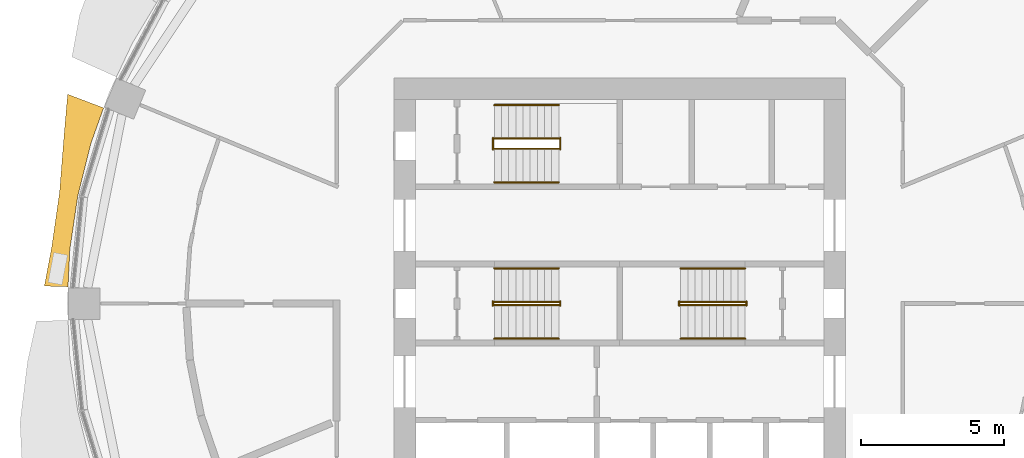
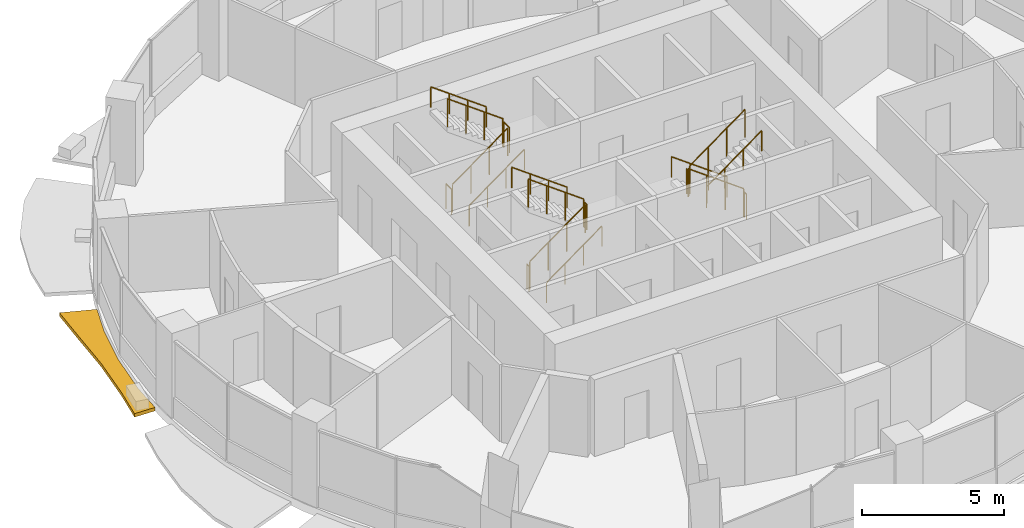
# One storey, part 12 of 14: 18 railings, 1 shading device.
"""IFC4 building model written with IfcOpenShell, lengths in metres."""

from ifc_helpers import new_model, si_unit, direction, frame, origin, origin_2d, place, context, subcontext, project, spatial, polyline, circle, outline, extrude, material, type_object, element, save


model = new_model("IFC4")

# Units and contexts
model_context = context("Model", 3, precision=1e-05, world=origin(), true_north=direction((0.0, 1.0)))
body_context = subcontext(model_context, "Body", "Model", "MODEL_VIEW")
ifc_project = project(units=[si_unit("LENGTHUNIT", "METRE"), si_unit("AREAUNIT", "SQUARE_METRE"), si_unit("VOLUMEUNIT", "CUBIC_METRE"), si_unit("PLANEANGLEUNIT", "RADIAN"), si_unit("MASSUNIT", "GRAM", prefix="KILO")], contexts=[model_context])

# Site, building, storey
site_placement = place(None, origin())
site = spatial("IfcSite", under=ifc_project, at=site_placement, CompositionType="ELEMENT")
building_placement = place(site_placement, origin())
building = spatial("IfcBuilding", under=site, at=building_placement, Name="Polderwave Tower", CompositionType="ELEMENT")
storey_placement = place(building_placement, frame((0.0, 0.0, 94.64990234375)))
storey = spatial("IfcBuildingStorey", under=building, at=storey_placement, Name="L24", CompositionType="ELEMENT", Elevation=94.64990234375)

# Railings
ifc_material_1 = material(Name="Stainless steel", Category="steel")
railing_type_1 = type_object("IfcRailingType", Name="Stair guard 1100", PredefinedType="GUARDRAIL", material=ifc_material_1)
railing_1_placement = place(storey_placement, frame((-4.3740234375, -0.051025390625, 0.0625)))
element("IfcRailing", 1, at=railing_1_placement, inside=storey, type_object=railing_type_1, Name="L24 ST-A stair guard 1", PredefinedType="GUARDRAIL", context=body_context, shape_type="SweptSolid", body=[
    extrude(circle(Radius=0.02392578125, at=origin_2d()), frame((0.0, 0.0, 1.1962890625), z_axis=(0.807673635365, 0.0, 0.58962979804), x_axis=(0.0, 1.0, 0.0)), (0.0, 0.0, 1.0), 2.785888671875),
    extrude(circle(Radius=0.02392578125, at=origin_2d()), origin(), (0.0, 0.0, 1.0), 1.172119140625),
    extrude(circle(Radius=0.02392578125, at=origin_2d()), frame((0.75, 0.0, 0.547607421875)), (0.0, 0.0, 1.0), 1.172119140625),
    extrude(circle(Radius=0.02392578125, at=origin_2d()), frame((1.5, 0.0, 1.094970703125)), (0.0, 0.0, 1.0), 1.172119140625),
    extrude(circle(Radius=0.02392578125, at=origin_2d()), frame((2.25, 0.0, 1.642578125)), (0.0, 0.0, 1.0), 1.172119140625),
])
railing_2_placement = place(storey_placement, frame((-2.073974609375, -0.074951171875, 1.8251953125)))
element("IfcRailing", 2, at=railing_2_placement, inside=storey, type_object=railing_type_1, Name="L24 ST-A stair guard 2", PredefinedType="GUARDRAIL", context=body_context, shape_type="SweptSolid", body=[
    extrude(circle(Radius=0.02392578125, at=origin_2d()), frame((0.0, 0.0, 1.076171875), z_axis=(0.0, 1.0, 0.0), x_axis=(-1.0, 0.0, 0.0)), (0.0, 0.0, 1.0), 0.14990234375),
    extrude(circle(Radius=0.02099609375, at=origin_2d()), origin(), (0.0, 0.0, 1.0), 1.052001953125),
    extrude(circle(Radius=0.02099609375, at=origin_2d()), frame((0.0, 0.14990234375, 0.0)), (0.0, 0.0, 1.0), 1.052001953125),
])
railing_3_placement = place(storey_placement, frame((-2.1240234375, 0.051025390625, 1.887451171875)))
element("IfcRailing", 3, at=railing_3_placement, inside=storey, type_object=railing_type_1, Name="L24 ST-A stair guard 3", PredefinedType="GUARDRAIL", context=body_context, shape_type="SweptSolid", body=[
    extrude(circle(Radius=0.02392578125, at=origin_2d()), frame((0.0, 0.0, 1.1962890625), z_axis=(-0.807673635365, 0.0, 0.58962979804), x_axis=(0.0, -1.0, 0.0)), (0.0, 0.0, 1.0), 2.785888671875),
    extrude(circle(Radius=0.02392578125, at=origin_2d()), origin(), (0.0, 0.0, 1.0), 1.172119140625),
    extrude(circle(Radius=0.02392578125, at=origin_2d()), frame((-0.75, 0.0, 0.547607421875)), (0.0, 0.0, 1.0), 1.172119140625),
    extrude(circle(Radius=0.02392578125, at=origin_2d()), frame((-1.5, 0.0, 1.094970703125)), (0.0, 0.0, 1.0), 1.172119140625),
    extrude(circle(Radius=0.02392578125, at=origin_2d()), frame((-2.25, 0.0, 1.642578125)), (0.0, 0.0, 1.0), 1.172119140625),
])
railing_4_placement = place(storey_placement, frame((-4.424072265625, -0.074951171875, 0.0)))
element("IfcRailing", 4, at=railing_4_placement, inside=storey, type_object=railing_type_1, Name="L24 ST-A stair guard 4", PredefinedType="GUARDRAIL", context=body_context, shape_type="SweptSolid", body=[
    extrude(circle(Radius=0.02392578125, at=origin_2d()), frame((0.0, 0.0, 1.076171875), z_axis=(0.0, 1.0, 0.0), x_axis=(-1.0, 0.0, 0.0)), (0.0, 0.0, 1.0), 0.14990234375),
    extrude(circle(Radius=0.02099609375, at=origin_2d()), origin(), (0.0, 0.0, 1.0), 1.052001953125),
    extrude(circle(Radius=0.02099609375, at=origin_2d()), frame((0.0, 0.14990234375, 0.0)), (0.0, 0.0, 1.0), 1.052001953125),
])
railing_5_placement = place(storey_placement, frame((4.3740234375, 0.051025390625, 0.0625)))
element("IfcRailing", 5, at=railing_5_placement, inside=storey, type_object=railing_type_1, Name="L24 ST-B stair guard 1", PredefinedType="GUARDRAIL", context=body_context, shape_type="SweptSolid", body=[
    extrude(circle(Radius=0.02392578125, at=origin_2d()), frame((0.0, 0.0, 1.1962890625), z_axis=(-0.807673635365, 0.0, 0.58962979804), x_axis=(0.0, -1.0, 0.0)), (0.0, 0.0, 1.0), 2.785888671875),
    extrude(circle(Radius=0.02392578125, at=origin_2d()), origin(), (0.0, 0.0, 1.0), 1.172119140625),
    extrude(circle(Radius=0.02392578125, at=origin_2d()), frame((-0.75, 0.0, 0.547607421875)), (0.0, 0.0, 1.0), 1.172119140625),
    extrude(circle(Radius=0.02392578125, at=origin_2d()), frame((-1.5, 0.0, 1.094970703125)), (0.0, 0.0, 1.0), 1.172119140625),
    extrude(circle(Radius=0.02392578125, at=origin_2d()), frame((-2.25, 0.0, 1.642578125)), (0.0, 0.0, 1.0), 1.172119140625),
])
railing_6_placement = place(storey_placement, frame((2.073974609375, 0.074951171875, 1.8251953125)))
element("IfcRailing", 6, at=railing_6_placement, inside=storey, type_object=railing_type_1, Name="L24 ST-B stair guard 2", PredefinedType="GUARDRAIL", context=body_context, shape_type="SweptSolid", body=[
    extrude(circle(Radius=0.02392578125, at=origin_2d()), frame((0.0, 0.0, 1.076171875), z_axis=(0.0, -1.0, 0.0), x_axis=(1.0, 0.0, 0.0)), (0.0, 0.0, 1.0), 0.14990234375),
    extrude(circle(Radius=0.02099609375, at=origin_2d()), origin(), (0.0, 0.0, 1.0), 1.052001953125),
    extrude(circle(Radius=0.02099609375, at=origin_2d()), frame((0.0, -0.14990234375, 0.0)), (0.0, 0.0, 1.0), 1.052001953125),
])
railing_7_placement = place(storey_placement, frame((2.1240234375, -0.051025390625, 1.887451171875)))
element("IfcRailing", 7, at=railing_7_placement, inside=storey, type_object=railing_type_1, Name="L24 ST-B stair guard 3", PredefinedType="GUARDRAIL", context=body_context, shape_type="SweptSolid", body=[
    extrude(circle(Radius=0.02392578125, at=origin_2d()), frame((0.0, 0.0, 1.1962890625), z_axis=(0.807673635365, 0.0, 0.58962979804), x_axis=(0.0, 1.0, 0.0)), (0.0, 0.0, 1.0), 2.785888671875),
    extrude(circle(Radius=0.02392578125, at=origin_2d()), origin(), (0.0, 0.0, 1.0), 1.172119140625),
    extrude(circle(Radius=0.02392578125, at=origin_2d()), frame((0.75, 0.0, 0.547607421875)), (0.0, 0.0, 1.0), 1.172119140625),
    extrude(circle(Radius=0.02392578125, at=origin_2d()), frame((1.5, 0.0, 1.094970703125)), (0.0, 0.0, 1.0), 1.172119140625),
    extrude(circle(Radius=0.02392578125, at=origin_2d()), frame((2.25, 0.0, 1.642578125)), (0.0, 0.0, 1.0), 1.172119140625),
])
railing_8_placement = place(storey_placement, frame((4.424072265625, 0.074951171875, 0.0)))
element("IfcRailing", 8, at=railing_8_placement, inside=storey, type_object=railing_type_1, Name="L24 ST-B stair guard 4", PredefinedType="GUARDRAIL", context=body_context, shape_type="SweptSolid", body=[
    extrude(circle(Radius=0.02392578125, at=origin_2d()), frame((0.0, 0.0, 1.076171875), z_axis=(0.0, -1.0, 0.0), x_axis=(1.0, 0.0, 0.0)), (0.0, 0.0, 1.0), 0.14990234375),
    extrude(circle(Radius=0.02099609375, at=origin_2d()), origin(), (0.0, 0.0, 1.0), 1.052001953125),
    extrude(circle(Radius=0.02099609375, at=origin_2d()), frame((0.0, -0.14990234375, 0.0)), (0.0, 0.0, 1.0), 1.052001953125),
])
railing_9_placement = place(storey_placement, frame((-4.3740234375, 5.39794921875, 0.0625)))
element("IfcRailing", 9, at=railing_9_placement, inside=storey, type_object=railing_type_1, Name="L24 ST-C stair guard 1", PredefinedType="GUARDRAIL", context=body_context, shape_type="SweptSolid", body=[
    extrude(circle(Radius=0.02392578125, at=origin_2d()), frame((0.0, 0.0, 1.1962890625), z_axis=(0.807673635365, 0.0, 0.58962979804), x_axis=(0.0, 1.0, 0.0)), (0.0, 0.0, 1.0), 2.785888671875),
    extrude(circle(Radius=0.02392578125, at=origin_2d()), origin(), (0.0, 0.0, 1.0), 1.172119140625),
    extrude(circle(Radius=0.02392578125, at=origin_2d()), frame((0.75, 0.0, 0.547607421875)), (0.0, 0.0, 1.0), 1.172119140625),
    extrude(circle(Radius=0.02392578125, at=origin_2d()), frame((1.5, 0.0, 1.094970703125)), (0.0, 0.0, 1.0), 1.172119140625),
    extrude(circle(Radius=0.02392578125, at=origin_2d()), frame((2.25, 0.0, 1.642578125)), (0.0, 0.0, 1.0), 1.172119140625),
])
railing_10_placement = place(storey_placement, frame((-2.073974609375, 5.3740234375, 1.8251953125)))
element("IfcRailing", 10, at=railing_10_placement, inside=storey, type_object=railing_type_1, Name="L24 ST-C stair guard 2", PredefinedType="GUARDRAIL", context=body_context, shape_type="SweptSolid", body=[
    extrude(circle(Radius=0.02392578125, at=origin_2d()), frame((0.0, 0.0, 1.076171875), z_axis=(0.0, 1.0, 0.0), x_axis=(-1.0, 0.0, 0.0)), (0.0, 0.0, 1.0), 0.39990234375),
    extrude(circle(Radius=0.02099609375, at=origin_2d()), origin(), (0.0, 0.0, 1.0), 1.052001953125),
    extrude(circle(Radius=0.02099609375, at=origin_2d()), frame((0.0, 0.39990234375, 0.0)), (0.0, 0.0, 1.0), 1.052001953125),
])
railing_11_placement = place(storey_placement, frame((-2.1240234375, 5.75, 1.887451171875)))
element("IfcRailing", 11, at=railing_11_placement, inside=storey, type_object=railing_type_1, Name="L24 ST-C stair guard 3", PredefinedType="GUARDRAIL", context=body_context, shape_type="SweptSolid", body=[
    extrude(circle(Radius=0.02392578125, at=origin_2d()), frame((0.0, 0.0, 1.1962890625), z_axis=(-0.807673635365, 0.0, 0.58962979804), x_axis=(0.0, -1.0, 0.0)), (0.0, 0.0, 1.0), 2.785888671875),
    extrude(circle(Radius=0.02392578125, at=origin_2d()), origin(), (0.0, 0.0, 1.0), 1.172119140625),
    extrude(circle(Radius=0.02392578125, at=origin_2d()), frame((-0.75, 0.0, 0.547607421875)), (0.0, 0.0, 1.0), 1.172119140625),
    extrude(circle(Radius=0.02392578125, at=origin_2d()), frame((-1.5, 0.0, 1.094970703125)), (0.0, 0.0, 1.0), 1.172119140625),
    extrude(circle(Radius=0.02392578125, at=origin_2d()), frame((-2.25, 0.0, 1.642578125)), (0.0, 0.0, 1.0), 1.172119140625),
])
railing_12_placement = place(storey_placement, frame((-4.424072265625, 5.3740234375, 0.0)))
element("IfcRailing", 12, at=railing_12_placement, inside=storey, type_object=railing_type_1, Name="L24 ST-C stair guard 4", PredefinedType="GUARDRAIL", context=body_context, shape_type="SweptSolid", body=[
    extrude(circle(Radius=0.02392578125, at=origin_2d()), frame((0.0, 0.0, 1.076171875), z_axis=(0.0, 1.0, 0.0), x_axis=(-1.0, 0.0, 0.0)), (0.0, 0.0, 1.0), 0.39990234375),
    extrude(circle(Radius=0.02099609375, at=origin_2d()), origin(), (0.0, 0.0, 1.0), 1.052001953125),
    extrude(circle(Radius=0.02099609375, at=origin_2d()), frame((0.0, 0.39990234375, 0.0)), (0.0, 0.0, 1.0), 1.052001953125),
])
railing_type_2 = type_object("IfcRailingType", Name="Stair handrail 900", PredefinedType="HANDRAIL", material=ifc_material_1)
railing_13_placement = place(storey_placement, frame((-4.3740234375, -1.22509765625, 0.1826171875)))
element("IfcRailing", 13, at=railing_13_placement, inside=storey, type_object=railing_type_2, Name="L24 ST-A stair handrail 1", PredefinedType="HANDRAIL", context=body_context, shape_type="SweptSolid", body=[
    extrude(circle(Radius=0.02392578125, at=origin_2d()), frame((0.0, 0.0, 0.8759765625), z_axis=(0.807673635365, 0.0, 0.58962979804), x_axis=(0.0, 1.0, 0.0)), (0.0, 0.0, 1.0), 2.785888671875),
    extrude(circle(Radius=0.02099609375, at=origin_2d()), origin(), (0.0, 0.0, 1.0), 0.851806640625),
    extrude(circle(Radius=0.02099609375, at=origin_2d()), frame((0.75, 0.0, 0.547607421875)), (0.0, 0.0, 1.0), 0.851806640625),
    extrude(circle(Radius=0.02099609375, at=origin_2d()), frame((1.5, 0.0, 1.094970703125)), (0.0, 0.0, 1.0), 0.851806640625),
    extrude(circle(Radius=0.02099609375, at=origin_2d()), frame((2.25, 0.0, 1.642578125)), (0.0, 0.0, 1.0), 0.851806640625),
])
for number, where, name in (
    (14, (-2.1240234375, 1.22509765625, 2.007568359375), "L24 ST-A stair handrail 2"),
    (15, (4.3740234375, 1.22509765625, 0.1826171875), "L24 ST-B stair handrail 1"),
):
    element("IfcRailing", number, at=place(storey_placement, frame(where)), inside=storey, type_object=railing_type_2, Name=name, PredefinedType="HANDRAIL", context=body_context, shape_type="SweptSolid", body=[
        extrude(circle(Radius=0.02392578125, at=origin_2d()), frame((0.0, 0.0, 0.8759765625), z_axis=(-0.807673635365, 0.0, 0.58962979804), x_axis=(0.0, -1.0, 0.0)), (0.0, 0.0, 1.0), 2.785888671875),
        extrude(circle(Radius=0.02099609375, at=origin_2d()), origin(), (0.0, 0.0, 1.0), 0.851806640625),
        extrude(circle(Radius=0.02099609375, at=origin_2d()), frame((-0.75, 0.0, 0.547607421875)), (0.0, 0.0, 1.0), 0.851806640625),
        extrude(circle(Radius=0.02099609375, at=origin_2d()), frame((-1.5, 0.0, 1.094970703125)), (0.0, 0.0, 1.0), 0.851806640625),
        extrude(circle(Radius=0.02099609375, at=origin_2d()), frame((-2.25, 0.0, 1.642578125)), (0.0, 0.0, 1.0), 0.851806640625),
    ])
for number, where, name in (
    (16, (2.1240234375, -1.22509765625, 2.007568359375), "L24 ST-B stair handrail 2"),
    (17, (-4.3740234375, 4.22412109375, 0.1826171875), "L24 ST-C stair handrail 1"),
):
    element("IfcRailing", number, at=place(storey_placement, frame(where)), inside=storey, type_object=railing_type_2, Name=name, PredefinedType="HANDRAIL", context=body_context, shape_type="SweptSolid", body=[
        extrude(circle(Radius=0.02392578125, at=origin_2d()), frame((0.0, 0.0, 0.8759765625), z_axis=(0.807673635365, 0.0, 0.58962979804), x_axis=(0.0, 1.0, 0.0)), (0.0, 0.0, 1.0), 2.785888671875),
        extrude(circle(Radius=0.02099609375, at=origin_2d()), origin(), (0.0, 0.0, 1.0), 0.851806640625),
        extrude(circle(Radius=0.02099609375, at=origin_2d()), frame((0.75, 0.0, 0.547607421875)), (0.0, 0.0, 1.0), 0.851806640625),
        extrude(circle(Radius=0.02099609375, at=origin_2d()), frame((1.5, 0.0, 1.094970703125)), (0.0, 0.0, 1.0), 0.851806640625),
        extrude(circle(Radius=0.02099609375, at=origin_2d()), frame((2.25, 0.0, 1.642578125)), (0.0, 0.0, 1.0), 0.851806640625),
    ])
railing_14_placement = place(storey_placement, frame((-2.1240234375, 6.924072265625, 2.007568359375)))
element("IfcRailing", 18, at=railing_14_placement, inside=storey, type_object=railing_type_2, Name="L24 ST-C stair handrail 2", PredefinedType="HANDRAIL", context=body_context, shape_type="SweptSolid", body=[
    extrude(circle(Radius=0.02392578125, at=origin_2d()), frame((0.0, 0.0, 0.8759765625), z_axis=(-0.807673635365, 0.0, 0.58962979804), x_axis=(0.0, -1.0, 0.0)), (0.0, 0.0, 1.0), 2.785888671875),
    extrude(circle(Radius=0.02099609375, at=origin_2d()), origin(), (0.0, 0.0, 1.0), 0.851806640625),
    extrude(circle(Radius=0.02099609375, at=origin_2d()), frame((-0.75, 0.0, 0.547607421875)), (0.0, 0.0, 1.0), 0.851806640625),
    extrude(circle(Radius=0.02099609375, at=origin_2d()), frame((-1.5, 0.0, 1.094970703125)), (0.0, 0.0, 1.0), 0.851806640625),
    extrude(circle(Radius=0.02099609375, at=origin_2d()), frame((-2.25, 0.0, 1.642578125)), (0.0, 0.0, 1.0), 0.851806640625),
])

# Shading device
ifc_material_2 = material(Name="Terracotta", Category="masonry")
shading_device_type = type_object("IfcShadingDeviceType", Name="Terracotta sunshade band", PredefinedType="USERDEFINED", material=ifc_material_2)
shading_device_placement = place(storey_placement, frame((0.0, 0.0, -0.349853515625)))
element("IfcShadingDevice", 19, at=shading_device_placement, inside=storey, type_object=shading_device_type, Name="Sunshade band L24 8", ObjectType="SUNSHADE", PredefinedType="USERDEFINED", context=body_context, shape_type="SweptSolid", body=[
    extrude(outline(polyline([(-18.000244140625, 6.82373046875), (-18.440185546875, 5.59375), (-18.899658203125, 3.759521484375), (-19.17724609375, 1.888916015625), (-19.2412109375, 0.583984375), (-20.0654296875, 0.609130859375), (-19.81201171875, 1.951416015625), (-19.53564453125, 3.885986328125), (-19.377685546875, 5.878173828125), (-19.25390625, 7.299072265625), (-18.000244140625, 6.82373046875)])), origin(), (0.0, 0.0, 1.0), 0.14990234375),
])

save(model, "model.ifc")
